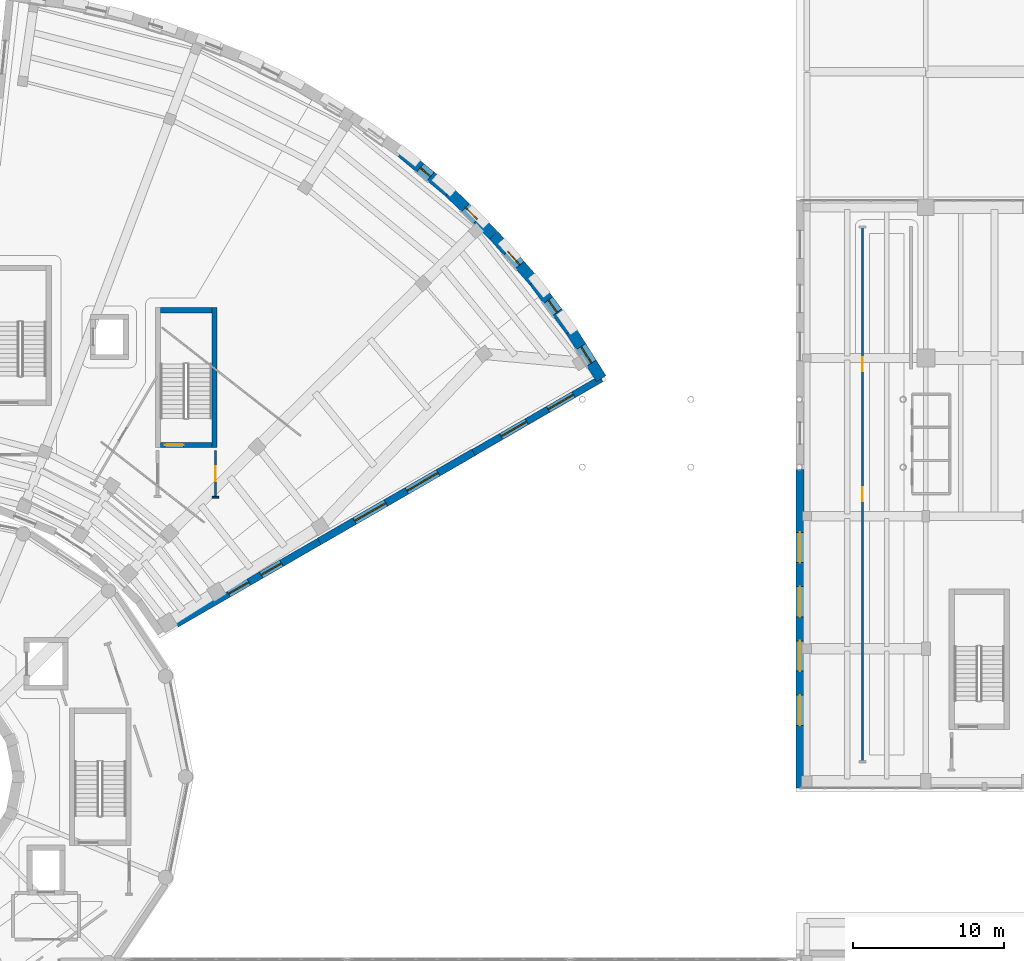
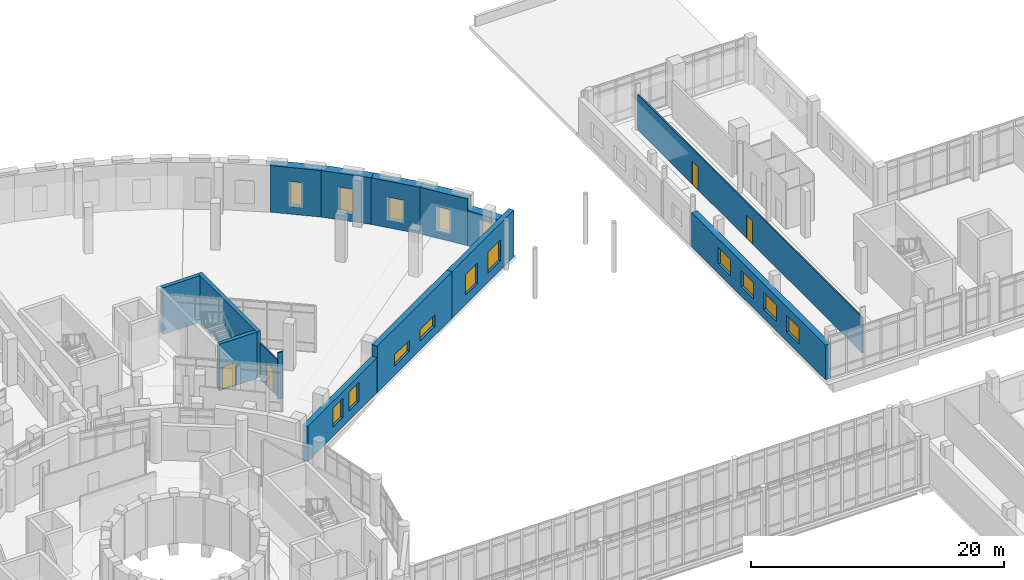
# One storey, part 71 of 89: 15 walls, 15 windows, 4 doors, 19 openings.
"""IFC4 building model written with IfcOpenShell, lengths in metres."""

from ifc_helpers import new_model, si_unit, direction, frame, frame_2d, origin, place, context, subcontext, project, spatial, rectangle, extrude, material, layer, layer_set, type_object, element, fill, save


model = new_model("IFC4")

# Units and contexts
model_context = context("Model", 3, precision=1e-05, world=origin(), true_north=direction((0.0, 1.0)))
body_context = subcontext(model_context, "Body", "Model", "MODEL_VIEW")
ifc_project = project(units=[si_unit("LENGTHUNIT", "METRE"), si_unit("AREAUNIT", "SQUARE_METRE"), si_unit("VOLUMEUNIT", "CUBIC_METRE"), si_unit("PLANEANGLEUNIT", "RADIAN"), si_unit("MASSUNIT", "GRAM", prefix="KILO")], contexts=[model_context])

# Site, building, storey
site_placement = place(None, origin())
site = spatial("IfcSite", under=ifc_project, at=site_placement, CompositionType="ELEMENT")
building_placement = place(site_placement, origin())
building = spatial("IfcBuilding", under=site, at=building_placement, Name="Soyqirgoq Riverine Aquarium", CompositionType="ELEMENT")
storey_placement = place(building_placement, frame((0.0, 0.0, 5.39990234375)))
storey = spatial("IfcBuildingStorey", under=building, at=storey_placement, Name="L02", CompositionType="ELEMENT", Elevation=5.39990234375)

# Walls
ifc_material_1 = material(Name="Concrete C40/50", Category="concrete")
ifc_layer_1 = layer(ifc_material_1, 0.35009765625)
ifc_layer_set_1 = layer_set([ifc_layer_1], Name="Concrete C40/50")
wall_type_1 = type_object("IfcWallType", Name="CoreShearWall_350_C40", PredefinedType="SHEAR", material=ifc_layer_set_1)
wall_1_placement = place(storey_placement, frame((75.375, 78.85009765625, 0.0), z_axis=(0.0, 0.0, 1.0), x_axis=(0.0, 1.0, 0.0)))
element("IfcWall", 1, at=wall_1_placement, inside=storey, type_object=wall_type_1, Name="CORE-5B L02 Stair Core Shear Wall SIDE1", PredefinedType="SHEAR", context=body_context, shape_type="SweptSolid", body=[
    extrude(rectangle(XDim=9.2998046875, YDim=0.35009765625, at=frame_2d((4.64990234375, 0.0))), origin(), (0.0, 0.0, 1.0), 4.5),
])
wall_2_placement = place(storey_placement, frame((75.199951171875, 87.97509765625, 0.0), z_axis=(0.0, 0.0, 1.0), x_axis=(-1.0, 0.0, 0.0)))
element("IfcWall", 2, at=wall_2_placement, inside=storey, type_object=wall_type_1, Name="CORE-5B L02 Stair Core Shear Wall BACK", PredefinedType="SHEAR", context=body_context, shape_type="SweptSolid", body=[
    extrude(rectangle(XDim=3.39990234375, YDim=0.35009765625, at=frame_2d((1.699951171875, 0.0))), origin(), (0.0, 0.0, 1.0), 4.5),
])

# Wall, opening, door
wall_3_placement = place(storey_placement, frame((71.800048828125, 79.02490234375, 0.0), z_axis=(0.0, 0.0, 1.0), x_axis=(1.0, 0.0, 0.0)))
wall_3 = element("IfcWall", 3, at=wall_3_placement, inside=storey, type_object=wall_type_1, Name="CORE-5B L02 Stair Core Shear Wall FRONT", PredefinedType="SHEAR", context=body_context, shape_type="SweptSolid", body=[
    extrude(rectangle(XDim=3.39990234375, YDim=0.35009765625, at=frame_2d((1.699951171875, 0.0))), origin(), (0.0, 0.0, 1.0), 4.5),
])
opening_1_placement = place(wall_3_placement, frame((0.280029296875, 0.0, 0.0)))
opening_1 = element("IfcOpeningElement", 4, at=opening_1_placement, cuts=wall_3, Name="Opening FD-01", PredefinedType="OPENING", context=body_context, shape_type="SweptSolid", body=[
    extrude(rectangle(XDim=1.25, YDim=2.199951171875, at=frame_2d((0.625, 1.10009765625))), frame((0.0, 0.18505859375, 0.0), z_axis=(0.0, -1.0, 0.0), x_axis=(1.0, 0.0, 0.0)), (0.0, 0.0, 1.0), 0.3701171875),
])
ifc_material_2 = material(Name="Galvanised steel fire-resisting stair door", Category="steel")
door_type_1 = type_object("IfcDoorType", Name="StairFireDoor_1250x2200_EI90", OperationType="NOTDEFINED", PredefinedType="DOOR", material=ifc_material_2)
door_1_placement = place(opening_1_placement, origin())
door_1 = element("IfcDoor", 5, at=door_1_placement, inside=storey, type_object=door_type_1, Name="DR-ST-6-L02 ST-6 L02 Fire-Rated Stairwell Door", OperationType="SINGLE_SWING_LEFT", OverallHeight=2.199951171875, OverallWidth=1.25, PredefinedType="DOOR", context=body_context, shape_type="SweptSolid", body=[
    extrude(rectangle(XDim=1.25, YDim=2.199951171875, at=frame_2d((0.625, 1.10009765625))), frame((0.0, 0.02490234375, 0.0), z_axis=(0.0, -1.0, 0.0), x_axis=(1.0, 0.0, 0.0)), (0.0, 0.0, 1.0), 0.050048828125),
])
fill(opening_1, door_1)

ifc_material_3 = material(Name="Lightweight steel-stud gypsum partition", Category="steel")
ifc_layer_2 = layer(ifc_material_3, 0.1201171875)
ifc_layer_set_2 = layer_set([ifc_layer_2], Name="Lightweight steel-stud gypsum partition")
wall_type_2 = type_object("IfcWallType", Name="PartitionWall_120_Std", PredefinedType="PARTITIONING", material=ifc_layer_set_2)
wall_4_placement = place(storey_placement, frame((75.43994140625, 78.64990234375, 0.0), z_axis=(0.0, 0.0, 1.0), x_axis=(0.0, -1.0, 0.0)))
wall_4 = element("IfcWall", 6, at=wall_4_placement, inside=storey, type_object=wall_type_2, Name="Hadal Trench Cold-Seep Room Partition Wall", PredefinedType="PARTITIONING", context=body_context, shape_type="SweptSolid", body=[
    extrude(rectangle(XDim=3.08984375, YDim=0.1201171875, at=frame_2d((1.544921875, 0.0))), origin(), (0.0, 0.0, 1.0), 3.489990234375),
])
opening_2_placement = place(wall_4_placement, frame((1.044921875, 0.0, 0.0)))
opening_2 = element("IfcOpeningElement", 7, at=opening_2_placement, cuts=wall_4, Name="Opening ID-03", PredefinedType="OPENING", context=body_context, shape_type="SweptSolid", body=[
    extrude(rectangle(XDim=1.0, YDim=2.199951171875, at=frame_2d((0.5, 1.10009765625))), frame((0.0, 0.070068359375, 0.0), z_axis=(0.0, -1.0, 0.0), x_axis=(1.0, 0.0, 0.0)), (0.0, 0.0, 1.0), 0.14013671875),
])
ifc_material_4 = material(Name="Solid-core ash veneer room door", Category="wood")
door_type_2 = type_object("IfcDoorType", Name="RoomDoor_1000x2200", OperationType="NOTDEFINED", PredefinedType="DOOR", material=ifc_material_4)
door_2_placement = place(opening_2_placement, origin())
door_2 = element("IfcDoor", 8, at=door_2_placement, inside=storey, type_object=door_type_2, Name="IDR-V5-L02-0148 Hadal Trench Cold-Seep Room Door", OperationType="SINGLE_SWING_RIGHT", OverallHeight=2.199951171875, OverallWidth=1.0, PredefinedType="DOOR", context=body_context, shape_type="SweptSolid", body=[
    extrude(rectangle(XDim=1.0, YDim=2.199951171875, at=frame_2d((0.5, 1.10009765625))), frame((0.0, 0.02490234375, 0.0), z_axis=(0.0, -1.0, 0.0), x_axis=(1.0, 0.0, 0.0)), (0.0, 0.0, 1.0), 0.050048828125),
])
fill(opening_2, door_2)

# Wall
wall_5_placement = place(storey_placement, frame((75.219970703125, 75.56005859375, 0.0), z_axis=(0.0, 0.0, 1.0), x_axis=(1.0, 0.0, 0.0)))
element("IfcWall", 9, at=wall_5_placement, inside=storey, type_object=wall_type_2, Name="V5 L02 Jamb Return Pier", PredefinedType="PARTITIONING", context=body_context, shape_type="SweptSolid", body=[
    extrude(rectangle(XDim=0.43994140625, YDim=0.1201171875, at=frame_2d((0.219970703125, 0.0))), origin(), (0.0, 0.0, 1.0), 4.5),
])

# Wall, openings, doors
wall_6_placement = place(storey_placement, frame((118.39990234375, 93.5, 0.0), z_axis=(0.0, 0.0, 1.0), x_axis=(0.0, -1.0, 0.0)))
wall_6 = element("IfcWall", 10, at=wall_6_placement, inside=storey, type_object=wall_type_2, Name="Quarantine Biosecurity Corridor Partition Wall", PredefinedType="PARTITIONING", context=body_context, shape_type="SweptSolid", body=[
    extrude(rectangle(XDim=35.5, YDim=0.1201171875, at=frame_2d((17.75, 0.0))), origin(), (0.0, 0.0, 1.0), 3.440185546875),
])
opening_3_placement = place(wall_6_placement, frame((17.27490234375, 0.0, 0.0)))
opening_3 = element("IfcOpeningElement", 11, at=opening_3_placement, cuts=wall_6, Name="Opening ID-06", PredefinedType="OPENING", context=body_context, shape_type="SweptSolid", body=[
    extrude(rectangle(XDim=0.949951171875, YDim=2.199951171875, at=frame_2d((0.47509765625, 1.10009765625))), frame((0.0, 0.070068359375, 0.0), z_axis=(0.0, -1.0, 0.0), x_axis=(1.0, 0.0, 0.0)), (0.0, 0.0, 1.0), 0.14013671875),
])
opening_4_placement = place(wall_6_placement, frame((8.637451171875, 0.0, 0.0)))
opening_4 = element("IfcOpeningElement", 12, at=opening_4_placement, cuts=wall_6, Name="Opening ID-06", PredefinedType="OPENING", context=body_context, shape_type="SweptSolid", body=[
    extrude(rectangle(XDim=0.949951171875, YDim=2.199951171875, at=frame_2d((0.47509765625, 1.10009765625))), frame((0.0, 0.070068359375, 0.0), z_axis=(0.0, -1.0, 0.0), x_axis=(1.0, 0.0, 0.0)), (0.0, 0.0, 1.0), 0.14013671875),
])
ifc_material_5 = material(Name="Moisture-resistant HPL washroom door", Category="wood")
door_type_3 = type_object("IfcDoorType", Name="WCDoor_950x2200", OperationType="NOTDEFINED", PredefinedType="DOOR", material=ifc_material_5)
door_3_placement = place(opening_3_placement, origin())
door_3 = element("IfcDoor", 13, at=door_3_placement, inside=storey, type_object=door_type_3, Name="IDR-V7-L02-0230 Quarantine Biosecurity Corridor Access Door", OperationType="SINGLE_SWING_RIGHT", OverallHeight=2.199951171875, OverallWidth=0.949951171875, PredefinedType="DOOR", context=body_context, shape_type="SweptSolid", body=[
    extrude(rectangle(XDim=0.949951171875, YDim=2.199951171875, at=frame_2d((0.47509765625, 1.10009765625))), frame((0.0, 0.02490234375, 0.0), z_axis=(0.0, -1.0, 0.0), x_axis=(1.0, 0.0, 0.0)), (0.0, 0.0, 1.0), 0.050048828125),
])
fill(opening_3, door_3)
door_4_placement = place(opening_4_placement, origin())
door_4 = element("IfcDoor", 14, at=door_4_placement, inside=storey, type_object=door_type_3, Name="IDR-V7-L02-0232 Quarantine Holding Suite Access Door", OperationType="SINGLE_SWING_RIGHT", OverallHeight=2.199951171875, OverallWidth=0.949951171875, PredefinedType="DOOR", context=body_context, shape_type="SweptSolid", body=[
    extrude(rectangle(XDim=0.949951171875, YDim=2.199951171875, at=frame_2d((0.47509765625, 1.10009765625))), frame((0.0, 0.02490234375, 0.0), z_axis=(0.0, -1.0, 0.0), x_axis=(1.0, 0.0, 0.0)), (0.0, 0.0, 1.0), 0.050048828125),
])
fill(opening_4, door_4)

# Wall, openings, windows
ifc_material_6 = material(Name="Honed travertine limestone cavity wall", Category="masonry")
ifc_layer_3 = layer(ifc_material_6, 0.449951171875)
ifc_layer_set_3 = layer_set([ifc_layer_3], Name="Honed travertine limestone cavity wall")
wall_type_3 = type_object("IfcWallType", Name="TravertineCavityWall_450", PredefinedType="SOLIDWALL", material=ifc_layer_set_3)
wall_7_placement = place(storey_placement, frame((101.057373046875, 83.4296875, 0.0), z_axis=(0.0, 0.0, 1.0), x_axis=(-0.866018329855, -0.500012252205, 0.0)))
wall_7 = element("IfcWall", 15, at=wall_7_placement, inside=storey, type_object=wall_type_3, Name="V5 L02 Exterior Travertine Wall 0277", PredefinedType="SOLIDWALL", context=body_context, shape_type="SweptSolid", body=[
    extrude(rectangle(XDim=9.796142578125, YDim=0.449951171875, at=frame_2d((4.89794921875, 0.0))), origin(), (0.0, 0.0, 1.0), 4.5),
])
opening_5_placement = place(wall_7_placement, frame((2.123046875, 0.0, 0.89990234375)))
opening_5 = element("IfcOpeningElement", 16, at=opening_5_placement, cuts=wall_7, Name="Opening WN-14", PredefinedType="OPENING", context=body_context, shape_type="SweptSolid", body=[
    extrude(rectangle(XDim=1.949951171875, YDim=2.0, at=frame_2d((0.97509765625, 1.0))), frame((0.0, 0.23486328125, 0.0), z_axis=(0.0, -1.0, 0.0), x_axis=(1.0, 0.0, 0.0)), (0.0, 0.0, 1.0), 0.469970703125),
])
opening_6_placement = place(wall_7_placement, frame((5.722900390625, 0.0, 0.89990234375)))
opening_6 = element("IfcOpeningElement", 17, at=opening_6_placement, cuts=wall_7, Name="Opening WN-14", PredefinedType="OPENING", context=body_context, shape_type="SweptSolid", body=[
    extrude(rectangle(XDim=1.949951171875, YDim=2.0, at=frame_2d((0.97509765625, 1.0))), frame((0.0, 0.23486328125, 0.0), z_axis=(0.0, -1.0, 0.0), x_axis=(1.0, 0.0, 0.0)), (0.0, 0.0, 1.0), 0.469970703125),
])
ifc_material_7 = material(Name="Thermally broken aluminium triple low-E window", Category="aluminium")
window_type_1 = type_object("IfcWindowType", Name="Win_Gallery_1950x2000", PartitioningType="DOUBLE_PANEL_VERTICAL", PredefinedType="WINDOW", material=ifc_material_7)
window_1_placement = place(opening_5_placement, origin())
window_1 = element("IfcWindow", 18, at=window_1_placement, inside=storey, type_object=window_type_1, Name="V5 L02 Facade Window 0219", OverallHeight=2.0, OverallWidth=1.949951171875, PartitioningType="DOUBLE_PANEL_VERTICAL", PredefinedType="WINDOW", context=body_context, shape_type="SweptSolid", body=[
    extrude(rectangle(XDim=1.949951171875, YDim=2.0, at=frame_2d((0.97509765625, 1.0))), frame((0.0, 0.030029296875, 0.0), z_axis=(0.0, -1.0, 0.0), x_axis=(1.0, 0.0, 0.0)), (0.0, 0.0, 1.0), 0.06005859375),
])
fill(opening_5, window_1)
window_2_placement = place(opening_6_placement, origin())
window_2 = element("IfcWindow", 19, at=window_2_placement, inside=storey, type_object=window_type_1, Name="V5 L02 Facade Window 0220", OverallHeight=2.0, OverallWidth=1.949951171875, PartitioningType="DOUBLE_PANEL_VERTICAL", PredefinedType="WINDOW", context=body_context, shape_type="SweptSolid", body=[
    extrude(rectangle(XDim=1.949951171875, YDim=2.0, at=frame_2d((0.97509765625, 1.0))), frame((0.0, 0.030029296875, 0.0), z_axis=(0.0, -1.0, 0.0), x_axis=(1.0, 0.0, 0.0)), (0.0, 0.0, 1.0), 0.06005859375),
])
fill(opening_6, window_2)

ifc_material_8 = material(Name="Honed travertine limestone cavity wall", Category="masonry")
ifc_layer_4 = layer(ifc_material_8, 0.47998046875)
ifc_layer_set_4 = layer_set([ifc_layer_4], Name="Honed travertine limestone cavity wall")
wall_type_4 = type_object("IfcWallType", Name="TravertineCavityWall_480", PredefinedType="SOLIDWALL", material=ifc_layer_set_4)
wall_8_placement = place(storey_placement, frame((82.3349609375, 72.6201171875, 0.0), z_axis=(0.0, 0.0, 1.0), x_axis=(-0.866034420217, -0.499984382755, 0.0)))
wall_8 = element("IfcWall", 20, at=wall_8_placement, inside=storey, type_object=wall_type_4, Name="V5 L02 Exterior Travertine Wall 0279", PredefinedType="SOLIDWALL", context=body_context, shape_type="SweptSolid", body=[
    extrude(rectangle(XDim=10.946044921875, YDim=0.47998046875, at=frame_2d((5.47314453125, 0.0))), origin(), (0.0, 0.0, 1.0), 3.39013671875),
])
opening_7_placement = place(wall_8_placement, frame((2.89794921875, 0.0, 0.89990234375)))
opening_7 = element("IfcOpeningElement", 21, at=opening_7_placement, cuts=wall_8, Name="Opening WN-18", PredefinedType="OPENING", context=body_context, shape_type="SweptSolid", body=[
    extrude(rectangle(XDim=1.550048828125, YDim=1.85009765625, at=frame_2d((0.77490234375, 0.925048828125))), frame((0.0, 0.25, 0.0), z_axis=(0.0, -1.0, 0.0), x_axis=(1.0, 0.0, 0.0)), (0.0, 0.0, 1.0), 0.5),
])
opening_8_placement = place(wall_8_placement, frame((5.39794921875, 0.0, 0.89990234375)))
opening_8 = element("IfcOpeningElement", 22, at=opening_8_placement, cuts=wall_8, Name="Opening WN-18", PredefinedType="OPENING", context=body_context, shape_type="SweptSolid", body=[
    extrude(rectangle(XDim=1.550048828125, YDim=1.85009765625, at=frame_2d((0.77490234375, 0.925048828125))), frame((0.0, 0.25, 0.0), z_axis=(0.0, -1.0, 0.0), x_axis=(1.0, 0.0, 0.0)), (0.0, 0.0, 1.0), 0.5),
])
ifc_material_9 = material(Name="Thermally broken aluminium triple low-E window", Category="aluminium")
window_type_2 = type_object("IfcWindowType", Name="Win_Office_1550x1850", PartitioningType="DOUBLE_PANEL_VERTICAL", PredefinedType="WINDOW", material=ifc_material_9)
window_3_placement = place(opening_7_placement, origin())
window_3 = element("IfcWindow", 23, at=window_3_placement, inside=storey, type_object=window_type_2, Name="V5 L02 Facade Window 0223", OverallHeight=1.85009765625, OverallWidth=1.550048828125, PartitioningType="DOUBLE_PANEL_VERTICAL", PredefinedType="WINDOW", context=body_context, shape_type="SweptSolid", body=[
    extrude(rectangle(XDim=1.550048828125, YDim=1.85009765625, at=frame_2d((0.77490234375, 0.925048828125))), frame((0.0, 0.030029296875, 0.0), z_axis=(0.0, -1.0, 0.0), x_axis=(1.0, 0.0, 0.0)), (0.0, 0.0, 1.0), 0.06005859375),
])
fill(opening_7, window_3)
window_4_placement = place(opening_8_placement, origin())
window_4 = element("IfcWindow", 24, at=window_4_placement, inside=storey, type_object=window_type_2, Name="V5 L02 Facade Window 0224", OverallHeight=1.85009765625, OverallWidth=1.550048828125, PartitioningType="DOUBLE_PANEL_VERTICAL", PredefinedType="WINDOW", context=body_context, shape_type="SweptSolid", body=[
    extrude(rectangle(XDim=1.550048828125, YDim=1.85009765625, at=frame_2d((0.77490234375, 0.925048828125))), frame((0.0, 0.030029296875, 0.0), z_axis=(0.0, -1.0, 0.0), x_axis=(1.0, 0.0, 0.0)), (0.0, 0.0, 1.0), 0.06005859375),
])
fill(opening_8, window_4)

ifc_material_10 = material(Name="Honed travertine limestone cavity wall", Category="masonry")
ifc_layer_5 = layer(ifc_material_10, 0.5)
ifc_layer_set_5 = layer_set([ifc_layer_5], Name="Honed travertine limestone cavity wall")
wall_type_5 = type_object("IfcWallType", Name="TravertineCavityWall_500", PredefinedType="SOLIDWALL", material=ifc_layer_set_5)
wall_9_placement = place(storey_placement, frame((92.57373046875, 78.531494140625, 0.0), z_axis=(0.0, 0.0, 1.0), x_axis=(-0.866024649003, -0.500001307318, 0.0)))
wall_9 = element("IfcWall", 25, at=wall_9_placement, inside=storey, type_object=wall_type_5, Name="V5 L02 Exterior Travertine Wall 0278", PredefinedType="SOLIDWALL", context=body_context, shape_type="SweptSolid", body=[
    extrude(rectangle(XDim=11.82275390625, YDim=0.5, at=frame_2d((5.911376953125, 0.0))), origin(), (0.0, 0.0, 1.0), 4.5),
])
opening_9_placement = place(wall_9_placement, frame((2.71142578125, 0.0, 0.89990234375)))
opening_9 = element("IfcOpeningElement", 26, at=opening_9_placement, cuts=wall_9, Name="Opening WN-10", PredefinedType="OPENING", context=body_context, shape_type="SweptSolid", body=[
    extrude(rectangle(XDim=2.39990234375, YDim=1.10009765625, at=frame_2d((1.199951171875, 0.550048828125))), frame((0.0, 0.260009765625, 0.0), z_axis=(0.0, -1.0, 0.0), x_axis=(1.0, 0.0, 0.0)), (0.0, 0.0, 1.0), 0.52001953125),
])
opening_10_placement = place(wall_9_placement, frame((6.71142578125, 0.0, 0.89990234375)))
opening_10 = element("IfcOpeningElement", 27, at=opening_10_placement, cuts=wall_9, Name="Opening WN-10", PredefinedType="OPENING", context=body_context, shape_type="SweptSolid", body=[
    extrude(rectangle(XDim=2.39990234375, YDim=1.10009765625, at=frame_2d((1.199951171875, 0.550048828125))), frame((0.0, 0.260009765625, 0.0), z_axis=(0.0, -1.0, 0.0), x_axis=(1.0, 0.0, 0.0)), (0.0, 0.0, 1.0), 0.52001953125),
])
ifc_material_11 = material(Name="Thermally broken aluminium triple low-E window", Category="aluminium")
window_type_3 = type_object("IfcWindowType", Name="Win_Clerestory_2400x1100", PartitioningType="DOUBLE_PANEL_HORIZONTAL", PredefinedType="LIGHTDOME", material=ifc_material_11)
window_5_placement = place(opening_9_placement, origin())
window_5 = element("IfcWindow", 28, at=window_5_placement, inside=storey, type_object=window_type_3, Name="V5 L02 Facade Window 0221", OverallHeight=1.10009765625, OverallWidth=2.39990234375, PartitioningType="DOUBLE_PANEL_HORIZONTAL", PredefinedType="LIGHTDOME", context=body_context, shape_type="SweptSolid", body=[
    extrude(rectangle(XDim=2.39990234375, YDim=1.10009765625, at=frame_2d((1.199951171875, 0.550048828125))), frame((0.0, 0.030029296875, 0.0), z_axis=(0.0, -1.0, 0.0), x_axis=(1.0, 0.0, 0.0)), (0.0, 0.0, 1.0), 0.06005859375),
])
fill(opening_9, window_5)
window_6_placement = place(opening_10_placement, origin())
window_6 = element("IfcWindow", 29, at=window_6_placement, inside=storey, type_object=window_type_3, Name="V5 L02 Facade Window 0222", OverallHeight=1.10009765625, OverallWidth=2.39990234375, PartitioningType="DOUBLE_PANEL_HORIZONTAL", PredefinedType="LIGHTDOME", context=body_context, shape_type="SweptSolid", body=[
    extrude(rectangle(XDim=2.39990234375, YDim=1.10009765625, at=frame_2d((1.199951171875, 0.550048828125))), frame((0.0, 0.030029296875, 0.0), z_axis=(0.0, -1.0, 0.0), x_axis=(1.0, 0.0, 0.0)), (0.0, 0.0, 1.0), 0.06005859375),
])
fill(opening_10, window_6)

ifc_material_12 = material(Name="Honed travertine limestone cavity wall", Category="masonry")
ifc_layer_6 = layer(ifc_material_12, 0.52001953125)
ifc_layer_set_6 = layer_set([ifc_layer_6], Name="Honed travertine limestone cavity wall")
wall_type_6 = type_object("IfcWallType", Name="TravertineCavityWall_520", PredefinedType="SOLIDWALL", material=ifc_layer_set_6)
wall_10_placement = place(storey_placement, frame((114.25, 56.25, 0.0), z_axis=(0.0, 0.0, 1.0), x_axis=(0.0, 1.0, 0.0)))
wall_10 = element("IfcWall", 30, at=wall_10_placement, inside=storey, type_object=wall_type_6, Name="V7 L02 Exterior Travertine Wall 0382", PredefinedType="SOLIDWALL", context=body_context, shape_type="SweptSolid", body=[
    extrude(rectangle(XDim=21.13427734375, YDim=0.52001953125, at=frame_2d((10.567138671875, 0.0))), origin(), (0.0, 0.0, 1.0), 3.340087890625),
])
opening_11_placement = place(wall_10_placement, frame((4.1669921875, 0.0, 0.89990234375)))
opening_11 = element("IfcOpeningElement", 31, at=opening_11_placement, cuts=wall_10, Name="Opening WN-07", PredefinedType="OPENING", context=body_context, shape_type="SweptSolid", body=[
    extrude(rectangle(XDim=2.0, YDim=1.60009765625, at=frame_2d((1.0, 0.800048828125))), frame((0.0, 0.27001953125, 0.0), z_axis=(0.0, -1.0, 0.0), x_axis=(1.0, 0.0, 0.0)), (0.0, 0.0, 1.0), 0.5400390625),
])
opening_12_placement = place(wall_10_placement, frame((7.76708984375, 0.0, 0.89990234375)))
opening_12 = element("IfcOpeningElement", 32, at=opening_12_placement, cuts=wall_10, Name="Opening WN-07", PredefinedType="OPENING", context=body_context, shape_type="SweptSolid", body=[
    extrude(rectangle(XDim=2.0, YDim=1.60009765625, at=frame_2d((1.0, 0.800048828125))), frame((0.0, 0.27001953125, 0.0), z_axis=(0.0, -1.0, 0.0), x_axis=(1.0, 0.0, 0.0)), (0.0, 0.0, 1.0), 0.5400390625),
])
opening_13_placement = place(wall_10_placement, frame((11.3671875, 0.0, 0.89990234375)))
opening_13 = element("IfcOpeningElement", 33, at=opening_13_placement, cuts=wall_10, Name="Opening WN-07", PredefinedType="OPENING", context=body_context, shape_type="SweptSolid", body=[
    extrude(rectangle(XDim=2.0, YDim=1.60009765625, at=frame_2d((1.0, 0.800048828125))), frame((0.0, 0.27001953125, 0.0), z_axis=(0.0, -1.0, 0.0), x_axis=(1.0, 0.0, 0.0)), (0.0, 0.0, 1.0), 0.5400390625),
])
opening_14_placement = place(wall_10_placement, frame((14.967041015625, 0.0, 0.89990234375)))
opening_14 = element("IfcOpeningElement", 34, at=opening_14_placement, cuts=wall_10, Name="Opening WN-07", PredefinedType="OPENING", context=body_context, shape_type="SweptSolid", body=[
    extrude(rectangle(XDim=2.0, YDim=1.60009765625, at=frame_2d((1.0, 0.800048828125))), frame((0.0, 0.27001953125, 0.0), z_axis=(0.0, -1.0, 0.0), x_axis=(1.0, 0.0, 0.0)), (0.0, 0.0, 1.0), 0.5400390625),
])
ifc_material_13 = material(Name="Thermally broken aluminium triple low-E window", Category="aluminium")
window_type_4 = type_object("IfcWindowType", Name="Win_Lab_2000x1600", PartitioningType="TRIPLE_PANEL_VERTICAL", PredefinedType="WINDOW", material=ifc_material_13)
window_7_placement = place(opening_11_placement, origin())
window_7 = element("IfcWindow", 35, at=window_7_placement, inside=storey, type_object=window_type_4, Name="V7 L02 Facade Window 0332", OverallHeight=1.60009765625, OverallWidth=2.0, PartitioningType="TRIPLE_PANEL_VERTICAL", PredefinedType="WINDOW", context=body_context, shape_type="SweptSolid", body=[
    extrude(rectangle(XDim=2.0, YDim=1.60009765625, at=frame_2d((1.0, 0.800048828125))), frame((0.0, 0.030029296875, 0.0), z_axis=(0.0, -1.0, 0.0), x_axis=(1.0, 0.0, 0.0)), (0.0, 0.0, 1.0), 0.06005859375),
])
fill(opening_11, window_7)
window_8_placement = place(opening_12_placement, origin())
window_8 = element("IfcWindow", 36, at=window_8_placement, inside=storey, type_object=window_type_4, Name="V7 L02 Facade Window 0333", OverallHeight=1.60009765625, OverallWidth=2.0, PartitioningType="TRIPLE_PANEL_VERTICAL", PredefinedType="WINDOW", context=body_context, shape_type="SweptSolid", body=[
    extrude(rectangle(XDim=2.0, YDim=1.60009765625, at=frame_2d((1.0, 0.800048828125))), frame((0.0, 0.030029296875, 0.0), z_axis=(0.0, -1.0, 0.0), x_axis=(1.0, 0.0, 0.0)), (0.0, 0.0, 1.0), 0.06005859375),
])
fill(opening_12, window_8)
window_9_placement = place(opening_13_placement, origin())
window_9 = element("IfcWindow", 37, at=window_9_placement, inside=storey, type_object=window_type_4, Name="V7 L02 Facade Window 0334", OverallHeight=1.60009765625, OverallWidth=2.0, PartitioningType="TRIPLE_PANEL_VERTICAL", PredefinedType="WINDOW", context=body_context, shape_type="SweptSolid", body=[
    extrude(rectangle(XDim=2.0, YDim=1.60009765625, at=frame_2d((1.0, 0.800048828125))), frame((0.0, 0.030029296875, 0.0), z_axis=(0.0, -1.0, 0.0), x_axis=(1.0, 0.0, 0.0)), (0.0, 0.0, 1.0), 0.06005859375),
])
fill(opening_13, window_9)
window_10_placement = place(opening_14_placement, origin())
window_10 = element("IfcWindow", 38, at=window_10_placement, inside=storey, type_object=window_type_4, Name="V7 L02 Facade Window 0335", OverallHeight=1.60009765625, OverallWidth=2.0, PartitioningType="TRIPLE_PANEL_VERTICAL", PredefinedType="WINDOW", context=body_context, shape_type="SweptSolid", body=[
    extrude(rectangle(XDim=2.0, YDim=1.60009765625, at=frame_2d((1.0, 0.800048828125))), frame((0.0, 0.030029296875, 0.0), z_axis=(0.0, -1.0, 0.0), x_axis=(1.0, 0.0, 0.0)), (0.0, 0.0, 1.0), 0.06005859375),
])
fill(opening_14, window_10)

# Wall, opening, window
ifc_material_14 = material(Name="Honed travertine limestone cavity wall", Category="masonry")
ifc_layer_7 = layer(ifc_material_14, 0.75)
ifc_layer_set_7 = layer_set([ifc_layer_7], Name="Honed travertine limestone cavity wall")
wall_type_7 = type_object("IfcWallType", Name="TravertineNicheWall_750", PredefinedType="SOLIDWALL", material=ifc_layer_set_7)
wall_11_placement = place(storey_placement, frame((87.8076171875, 98.45263671875, 0.0), z_axis=(0.0, 0.0, 1.0), x_axis=(0.768825758313, -0.639458328083, 0.0)))
wall_11 = element("IfcWall", 39, at=wall_11_placement, inside=storey, type_object=wall_type_7, Name="V5 L02 Exterior Travertine Wall 0272", PredefinedType="SOLIDWALL", context=body_context, shape_type="SweptSolid", body=[
    extrude(rectangle(XDim=4.102783203125, YDim=0.75, at=frame_2d((2.05126953125, 0.0))), origin(), (0.0, 0.0, 1.0), 4.5),
])
opening_15_placement = place(wall_11_placement, frame((1.601318359375, 0.0, 0.75)))
opening_15 = element("IfcOpeningElement", 40, at=opening_15_placement, cuts=wall_11, Name="Opening WN-01", PredefinedType="OPENING", context=body_context, shape_type="SweptSolid", body=[
    extrude(rectangle(XDim=0.89990234375, YDim=2.39990234375, at=frame_2d((0.449951171875, 1.199951171875))), frame((0.0, 0.385009765625, 0.0), z_axis=(0.0, -1.0, 0.0), x_axis=(1.0, 0.0, 0.0)), (0.0, 0.0, 1.0), 0.77001953125),
])
ifc_material_15 = material(Name="Thermally broken aluminium triple low-E window", Category="aluminium")
window_type_5 = type_object("IfcWindowType", Name="Win_Niche_900x2400", PartitioningType="SINGLE_PANEL", PredefinedType="WINDOW", material=ifc_material_15)
window_11_placement = place(opening_15_placement, origin())
window_11 = element("IfcWindow", 41, at=window_11_placement, inside=storey, type_object=window_type_5, Name="V5 L02 Facade Window 0214", OverallHeight=2.39990234375, OverallWidth=0.89990234375, PartitioningType="SINGLE_PANEL", PredefinedType="WINDOW", context=body_context, shape_type="SweptSolid", body=[
    extrude(rectangle(XDim=0.89990234375, YDim=2.39990234375, at=frame_2d((0.449951171875, 1.199951171875))), frame((0.0, 0.030029296875, 0.0), z_axis=(0.0, -1.0, 0.0), x_axis=(1.0, 0.0, 0.0)), (0.0, 0.0, 1.0), 0.06005859375),
])
fill(opening_15, window_11)

wall_12_placement = place(storey_placement, frame((90.9619140625, 95.8291015625, 0.0), z_axis=(0.0, 0.0, 1.0), x_axis=(0.716299749967, -0.697792711482, 0.0)))
wall_12 = element("IfcWall", 42, at=wall_12_placement, inside=storey, type_object=wall_type_7, Name="V5 L02 Exterior Travertine Wall 0273", PredefinedType="SOLIDWALL", context=body_context, shape_type="SweptSolid", body=[
    extrude(rectangle(XDim=4.1025390625, YDim=0.75, at=frame_2d((2.05126953125, 0.0))), origin(), (0.0, 0.0, 1.0), 4.5),
])
opening_16_placement = place(wall_12_placement, frame((1.501220703125, 0.0, 0.75)))
opening_16 = element("IfcOpeningElement", 43, at=opening_16_placement, cuts=wall_12, Name="Opening WN-02", PredefinedType="OPENING", context=body_context, shape_type="SweptSolid", body=[
    extrude(rectangle(XDim=1.10009765625, YDim=2.39990234375, at=frame_2d((0.550048828125, 1.199951171875))), frame((0.0, 0.385009765625, 0.0), z_axis=(0.0, -1.0, 0.0), x_axis=(1.0, 0.0, 0.0)), (0.0, 0.0, 1.0), 0.77001953125),
])
ifc_material_16 = material(Name="Thermally broken aluminium triple low-E window", Category="aluminium")
window_type_6 = type_object("IfcWindowType", Name="Win_Niche_1100x2400", PartitioningType="SINGLE_PANEL", PredefinedType="WINDOW", material=ifc_material_16)
window_12_placement = place(opening_16_placement, origin())
window_12 = element("IfcWindow", 44, at=window_12_placement, inside=storey, type_object=window_type_6, Name="V5 L02 Facade Window 0215", OverallHeight=2.39990234375, OverallWidth=1.10009765625, PartitioningType="SINGLE_PANEL", PredefinedType="WINDOW", context=body_context, shape_type="SweptSolid", body=[
    extrude(rectangle(XDim=1.10009765625, YDim=2.39990234375, at=frame_2d((0.550048828125, 1.199951171875))), frame((0.0, 0.030029296875, 0.0), z_axis=(0.0, -1.0, 0.0), x_axis=(1.0, 0.0, 0.0)), (0.0, 0.0, 1.0), 0.06005859375),
])
fill(opening_16, window_12)

wall_13_placement = place(storey_placement, frame((93.900634765625, 92.96630859375, 0.0), z_axis=(0.0, 0.0, 1.0), x_axis=(0.659355212384, -0.751831566178, 0.0)))
wall_13 = element("IfcWall", 45, at=wall_13_placement, inside=storey, type_object=wall_type_7, Name="V5 L02 Exterior Travertine Wall 0274", PredefinedType="SOLIDWALL", context=body_context, shape_type="SweptSolid", body=[
    extrude(rectangle(XDim=4.1025390625, YDim=0.75, at=frame_2d((2.05126953125, 0.0))), origin(), (0.0, 0.0, 1.0), 4.5),
])
opening_17_placement = place(wall_13_placement, frame((1.451416015625, 0.0, 0.75)))
opening_17 = element("IfcOpeningElement", 46, at=opening_17_placement, cuts=wall_13, Name="Opening WN-03", PredefinedType="OPENING", context=body_context, shape_type="SweptSolid", body=[
    extrude(rectangle(XDim=1.199951171875, YDim=2.199951171875, at=frame_2d((0.60009765625, 1.10009765625))), frame((0.0, 0.385009765625, 0.0), z_axis=(0.0, -1.0, 0.0), x_axis=(1.0, 0.0, 0.0)), (0.0, 0.0, 1.0), 0.77001953125),
])
ifc_material_17 = material(Name="Thermally broken aluminium triple low-E window", Category="aluminium")
window_type_7 = type_object("IfcWindowType", Name="Win_Niche_1200x2200", PartitioningType="DOUBLE_PANEL_VERTICAL", PredefinedType="WINDOW", material=ifc_material_17)
window_13_placement = place(opening_17_placement, origin())
window_13 = element("IfcWindow", 47, at=window_13_placement, inside=storey, type_object=window_type_7, Name="V5 L02 Facade Window 0216", OverallHeight=2.199951171875, OverallWidth=1.199951171875, PartitioningType="DOUBLE_PANEL_VERTICAL", PredefinedType="WINDOW", context=body_context, shape_type="SweptSolid", body=[
    extrude(rectangle(XDim=1.199951171875, YDim=2.199951171875, at=frame_2d((0.60009765625, 1.10009765625))), frame((0.0, 0.030029296875, 0.0), z_axis=(0.0, -1.0, 0.0), x_axis=(1.0, 0.0, 0.0)), (0.0, 0.0, 1.0), 0.06005859375),
])
fill(opening_17, window_13)

wall_14_placement = place(storey_placement, frame((96.605712890625, 89.8818359375, 0.0), z_axis=(0.0, 0.0, 1.0), x_axis=(0.598294326762, -0.801276418326, 0.0)))
wall_14 = element("IfcWall", 48, at=wall_14_placement, inside=storey, type_object=wall_type_7, Name="V5 L02 Exterior Travertine Wall 0275", PredefinedType="SOLIDWALL", context=body_context, shape_type="SweptSolid", body=[
    extrude(rectangle(XDim=4.1025390625, YDim=0.75, at=frame_2d((2.05126953125, 0.0))), origin(), (0.0, 0.0, 1.0), 4.5),
])
opening_18_placement = place(wall_14_placement, frame((1.55126953125, 0.0, 0.75)))
opening_18 = element("IfcOpeningElement", 49, at=opening_18_placement, cuts=wall_14, Name="Opening WN-11", PredefinedType="OPENING", context=body_context, shape_type="SweptSolid", body=[
    extrude(rectangle(XDim=1.0, YDim=2.300048828125, at=frame_2d((0.5, 1.14990234375))), frame((0.0, 0.385009765625, 0.0), z_axis=(0.0, -1.0, 0.0), x_axis=(1.0, 0.0, 0.0)), (0.0, 0.0, 1.0), 0.77001953125),
])
ifc_material_18 = material(Name="Thermally broken aluminium triple low-E window", Category="aluminium")
window_type_8 = type_object("IfcWindowType", Name="Win_Niche_1000x2300", PartitioningType="SINGLE_PANEL", PredefinedType="WINDOW", material=ifc_material_18)
window_14_placement = place(opening_18_placement, origin())
window_14 = element("IfcWindow", 50, at=window_14_placement, inside=storey, type_object=window_type_8, Name="V5 L02 Facade Window 0217", OverallHeight=2.300048828125, OverallWidth=1.0, PartitioningType="SINGLE_PANEL", PredefinedType="WINDOW", context=body_context, shape_type="SweptSolid", body=[
    extrude(rectangle(XDim=1.0, YDim=2.300048828125, at=frame_2d((0.5, 1.14990234375))), frame((0.0, 0.030029296875, 0.0), z_axis=(0.0, -1.0, 0.0), x_axis=(1.0, 0.0, 0.0)), (0.0, 0.0, 1.0), 0.06005859375),
])
fill(opening_18, window_14)

wall_15_placement = place(storey_placement, frame((99.060302734375, 86.594482421875, 0.0), z_axis=(0.0, 0.0, 1.0), x_axis=(0.533659130214, -0.845699670533, 0.0)))
wall_15 = element("IfcWall", 51, at=wall_15_placement, inside=storey, type_object=wall_type_7, Name="V5 L02 Exterior Travertine Wall 0276", PredefinedType="SOLIDWALL", context=body_context, shape_type="SweptSolid", body=[
    extrude(rectangle(XDim=3.7421875, YDim=0.75, at=frame_2d((1.87109375, 0.0))), origin(), (0.0, 0.0, 1.0), 3.39013671875),
])
opening_19_placement = place(wall_15_placement, frame((1.22119140625, 0.0, 0.75)))
opening_19 = element("IfcOpeningElement", 52, at=opening_19_placement, cuts=wall_15, Name="Opening WN-12", PredefinedType="OPENING", context=body_context, shape_type="SweptSolid", body=[
    extrude(rectangle(XDim=1.300048828125, YDim=2.199951171875, at=frame_2d((0.64990234375, 1.10009765625))), frame((0.0, 0.385009765625, 0.0), z_axis=(0.0, -1.0, 0.0), x_axis=(1.0, 0.0, 0.0)), (0.0, 0.0, 1.0), 0.77001953125),
])
ifc_material_19 = material(Name="Thermally broken aluminium triple low-E window", Category="aluminium")
window_type_9 = type_object("IfcWindowType", Name="Win_Niche_1300x2200", PartitioningType="DOUBLE_PANEL_VERTICAL", PredefinedType="WINDOW", material=ifc_material_19)
window_15_placement = place(opening_19_placement, origin())
window_15 = element("IfcWindow", 53, at=window_15_placement, inside=storey, type_object=window_type_9, Name="V5 L02 Facade Window 0218", OverallHeight=2.199951171875, OverallWidth=1.300048828125, PartitioningType="DOUBLE_PANEL_VERTICAL", PredefinedType="WINDOW", context=body_context, shape_type="SweptSolid", body=[
    extrude(rectangle(XDim=1.300048828125, YDim=2.199951171875, at=frame_2d((0.64990234375, 1.10009765625))), frame((0.0, 0.030029296875, 0.0), z_axis=(0.0, -1.0, 0.0), x_axis=(1.0, 0.0, 0.0)), (0.0, 0.0, 1.0), 0.06005859375),
])
fill(opening_19, window_15)

save(model, "model.ifc")
